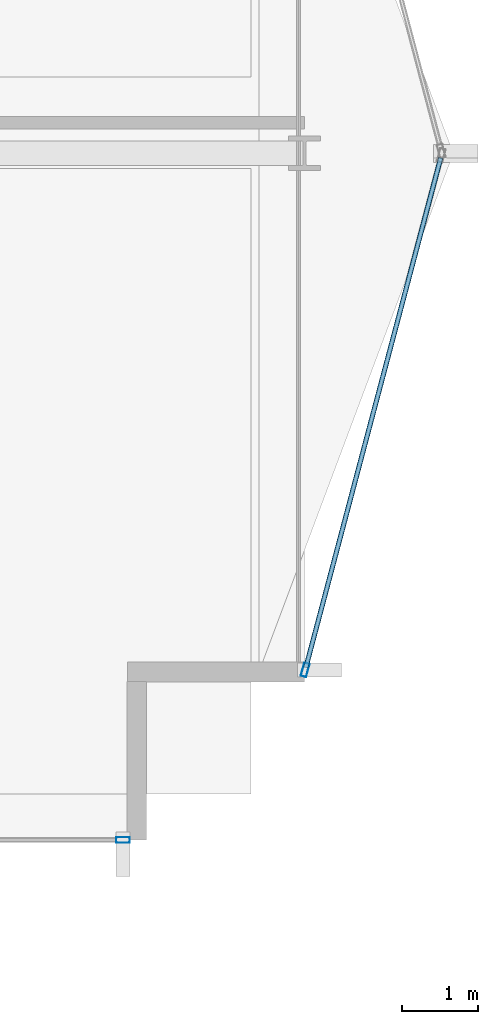
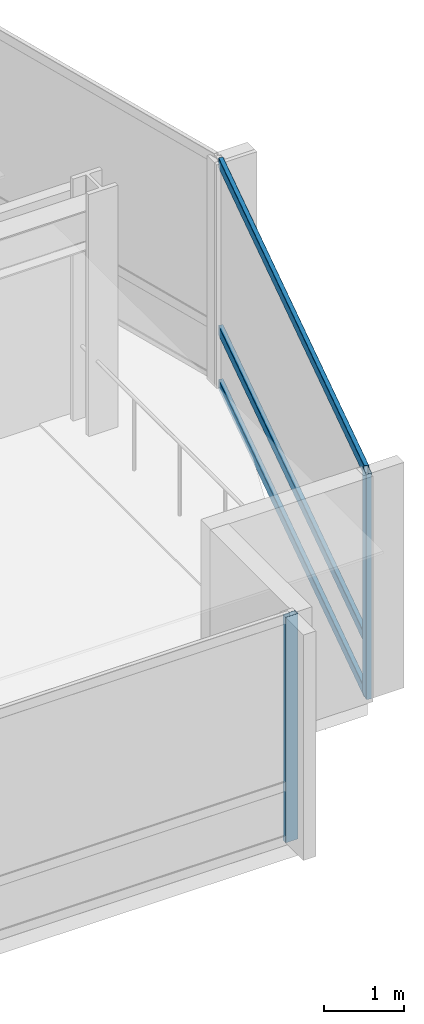
# One storey, part 11 of 29: 5 members, 2 elements without a shape of their own.
"""IFC4 building model written with IfcOpenShell, lengths in metres."""

from ifc_helpers import new_model, si_unit, direction, frame, origin, origin_2d, place, context, subcontext, project, spatial, hollow_rectangle, extrude, material, layer, layer_set, material_profile, profile_set, type_object, element, aggregate, save


model = new_model("IFC4")

# Units and contexts
model_context = context("Model", 3, precision=1e-05, world=origin(), true_north=direction((0.0, 1.0)))
body_context = subcontext(model_context, "Body", "Model", "MODEL_VIEW")
ifc_project = project(units=[si_unit("LENGTHUNIT", "METRE"), si_unit("AREAUNIT", "SQUARE_METRE"), si_unit("VOLUMEUNIT", "CUBIC_METRE"), si_unit("PLANEANGLEUNIT", "RADIAN"), si_unit("MASSUNIT", "GRAM", prefix="KILO")], contexts=[model_context])

# Site, building, storey
site_placement = place(None, origin())
site = spatial("IfcSite", under=ifc_project, at=site_placement, CompositionType="ELEMENT")
building_placement = place(site_placement, origin())
building = spatial("IfcBuilding", under=site, at=building_placement, Name="Solvaryn Broadcast Tower", CompositionType="ELEMENT")
storey_placement = place(building_placement, frame((0.0, 0.0, 128.5)))
storey = spatial("IfcBuildingStorey", under=building, at=storey_placement, Name="L31", CompositionType="ELEMENT", Elevation=128.5)

# Curtain wall, member
ifc_material_1 = material(Name="Aluminium and Terracotta Unitised Curtain Wall", Category="masonry")
ifc_layer = layer(ifc_material_1, 0.199951171875)
ifc_layer_set = layer_set([ifc_layer], Name="CW-SYS2-LOWMID")
curtain_wall_type = type_object("IfcCurtainWallType", Name="CW-SYS2-LOWMID", PredefinedType="NOTDEFINED", material=ifc_layer_set)
curtain_wall_1_placement = place(storey_placement, origin())
curtain_wall_1 = element("IfcCurtainWall", 1, at=curtain_wall_1_placement, inside=storey, type_object=curtain_wall_type, Name="L31 Curtain Wall S2", PredefinedType="NOTDEFINED")
ifc_material_2 = material(Name="Anodised Aluminium 6063-T6", Category="aluminium")
ifc_material_profile_1 = material_profile(ifc_material_2, hollow_rectangle(XDim=0.074951171875, YDim=0.179931640625, WallThickness=0.00390625, InnerFilletRadius=0.00390625, OuterFilletRadius=0.008056640625, at=origin_2d()))
ifc_profile_set_1 = profile_set([ifc_material_profile_1], Name="Anodised Aluminium 6063-T6")
member_type_1 = type_object("IfcMemberType", Name="CW-MUL-180", PredefinedType="MULLION", material=ifc_profile_set_1)
member_1_placement = place(storey_placement, frame((51.6201171875, 9.0, 0.0), z_axis=(0.0, 0.0, 1.0), x_axis=(0.0, 1.0, 0.0)))
member_1 = element("IfcMember", 2, at=member_1_placement, type_object=member_type_1, Name="CWS2 mullion 2", PredefinedType="MULLION", context=body_context, shape_type="SweptSolid", body=[
    extrude(hollow_rectangle(XDim=0.074951171875, YDim=0.179931640625, WallThickness=0.00390625, InnerFilletRadius=0.00390625, OuterFilletRadius=0.008056640625, at=origin_2d()), origin(), (0.0, 0.0, 1.0), 3.419921875),
])
aggregate(curtain_wall_1, [member_1])

# Curtain wall, members
curtain_wall_2_placement = place(storey_placement, origin())
curtain_wall_2 = element("IfcCurtainWall", 3, at=curtain_wall_2_placement, inside=storey, type_object=curtain_wall_type, Name="L31 Curtain Wall ET2", PredefinedType="NOTDEFINED")
member_2_placement = place(storey_placement, frame((54.007568359375, 11.22900390625, 0.0), z_axis=(0.0, 0.0, 1.0), x_axis=(0.966705227863, -0.25589256031, 0.0)))
member_2 = element("IfcMember", 4, at=member_2_placement, type_object=member_type_1, Name="CWS2 mullion 2", PredefinedType="MULLION", context=body_context, shape_type="SweptSolid", body=[
    extrude(hollow_rectangle(XDim=0.074951171875, YDim=0.179931640625, WallThickness=0.00390625, InnerFilletRadius=0.00390625, OuterFilletRadius=0.008056640625, at=origin_2d()), origin(), (0.0, 0.0, 1.0), 3.419921875),
])
ifc_material_3 = material(Name="Anodised Aluminium 6063-T6", Category="aluminium")
ifc_material_profile_2 = material_profile(ifc_material_3, hollow_rectangle(XDim=0.06494140625, YDim=0.14990234375, WallThickness=0.00390625, InnerFilletRadius=0.00390625, OuterFilletRadius=0.008056640625, at=origin_2d()))
ifc_profile_set_2 = profile_set([ifc_material_profile_2], Name="Anodised Aluminium 6063-T6")
member_type_2 = type_object("IfcMemberType", Name="CW-TRN-150", PredefinedType="USERDEFINED", material=ifc_profile_set_2)
member_3_placement = place(storey_placement, frame((55.78466796875, 17.94189453125, 0.030029296875), z_axis=(-0.255897413051, -0.966703943301, 0.0), x_axis=(0.966703943301, -0.255897413051, 0.0)))
member_3 = element("IfcMember", 5, at=member_3_placement, type_object=member_type_2, Name="CWS2 transom 1.1", ObjectType="TRANSOM", PredefinedType="USERDEFINED", context=body_context, shape_type="SweptSolid", body=[
    extrude(hollow_rectangle(XDim=0.06494140625, YDim=0.14990234375, WallThickness=0.00390625, InnerFilletRadius=0.00390625, OuterFilletRadius=0.008056640625, at=origin_2d()), origin(), (0.0, 0.0, 1.0), 6.9140625),
])
member_4_placement = place(storey_placement, frame((55.78466796875, 17.94189453125, 0.85009765625), z_axis=(-0.255897413051, -0.966703943301, 0.0), x_axis=(0.966703943301, -0.255897413051, 0.0)))
member_4 = element("IfcMember", 6, at=member_4_placement, type_object=member_type_2, Name="CWS2 transom 1.2", ObjectType="TRANSOM", PredefinedType="USERDEFINED", context=body_context, shape_type="SweptSolid", body=[
    extrude(hollow_rectangle(XDim=0.06494140625, YDim=0.14990234375, WallThickness=0.00390625, InnerFilletRadius=0.00390625, OuterFilletRadius=0.008056640625, at=origin_2d()), origin(), (0.0, 0.0, 1.0), 6.9140625),
])
member_5_placement = place(storey_placement, frame((55.78466796875, 17.94189453125, 3.389892578125), z_axis=(-0.255897413051, -0.966703943301, 0.0), x_axis=(0.966703943301, -0.255897413051, 0.0)))
member_5 = element("IfcMember", 7, at=member_5_placement, type_object=member_type_2, Name="CWS2 transom 1.3", ObjectType="TRANSOM", PredefinedType="USERDEFINED", context=body_context, shape_type="SweptSolid", body=[
    extrude(hollow_rectangle(XDim=0.06494140625, YDim=0.14990234375, WallThickness=0.00390625, InnerFilletRadius=0.00390625, OuterFilletRadius=0.008056640625, at=origin_2d()), origin(), (0.0, 0.0, 1.0), 6.9140625),
])
aggregate(curtain_wall_2, [member_2, member_3, member_4, member_5])

save(model, "model.ifc")
